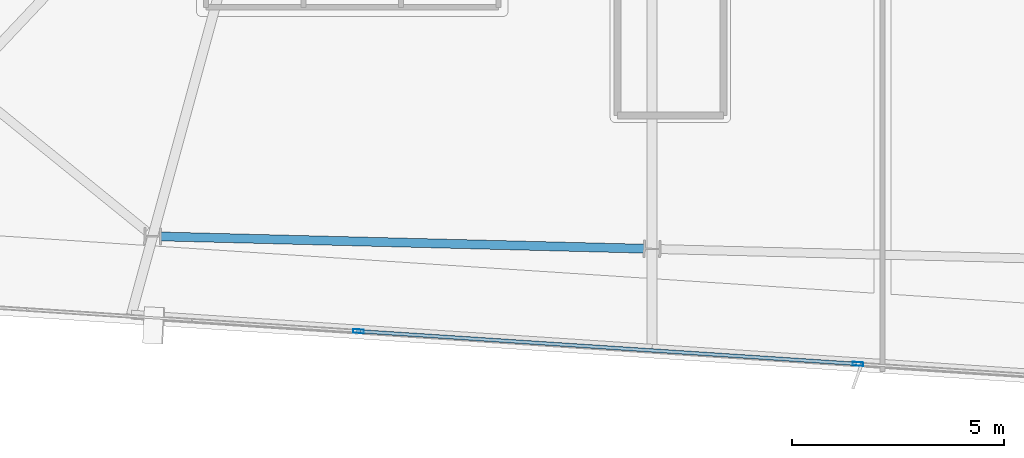
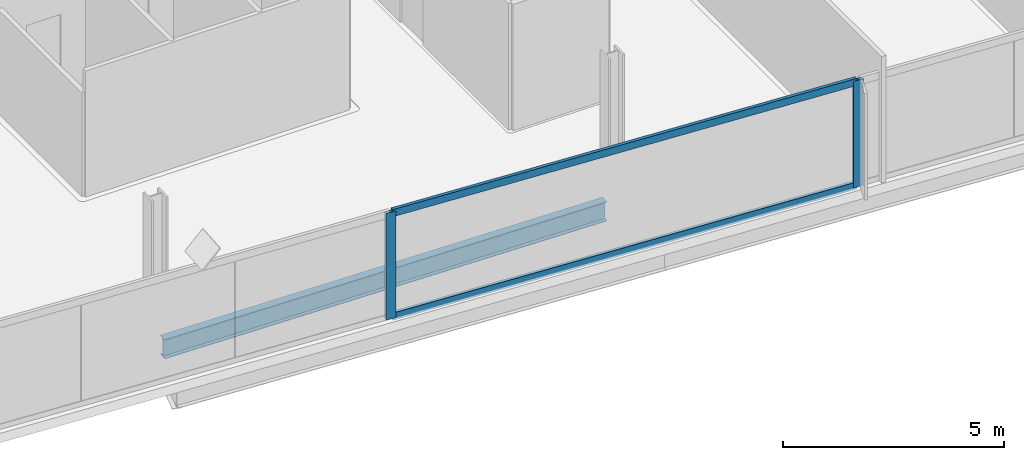
# One storey, part 4 of 24: 4 members, 1 beam, 1 element without a shape of its own.
"""IFC4 building model written with IfcOpenShell, lengths in metres."""

from ifc_helpers import new_model, si_unit, direction, frame, origin, origin_2d, place, context, subcontext, project, spatial, hollow_rectangle, i_section, extrude, material, material_profile, profile_set, type_object, element, aggregate, save


model = new_model("IFC4")

# Units and contexts
model_context = context("Model", 3, precision=1e-05, world=origin(), true_north=direction((0.0, 1.0)))
body_context = subcontext(model_context, "Body", "Model", "MODEL_VIEW")
ifc_project = project(units=[si_unit("LENGTHUNIT", "METRE"), si_unit("AREAUNIT", "SQUARE_METRE"), si_unit("VOLUMEUNIT", "CUBIC_METRE"), si_unit("PLANEANGLEUNIT", "RADIAN"), si_unit("MASSUNIT", "GRAM", prefix="KILO")], contexts=[model_context])

# Site, building, storey
site_placement = place(None, origin())
site = spatial("IfcSite", under=ifc_project, at=site_placement, CompositionType="ELEMENT")
building_placement = place(site_placement, origin())
building = spatial("IfcBuilding", under=site, at=building_placement, Name="Haldenkirk Collegiate Tower", CompositionType="ELEMENT")
storey_placement = place(building_placement, frame((0.0, 0.0, 317.699951171875)))
storey = spatial("IfcBuildingStorey", under=building, at=storey_placement, Name="L80", CompositionType="ELEMENT", Elevation=317.699951171875)

# Beam
ifc_material_1 = material(Name="Steel ASTM A992 Grade 50", Category="steel")
ifc_material_profile_1 = material_profile(ifc_material_1, i_section(OverallWidth=0.2099609375, OverallDepth=0.537109375, WebThickness=0.010986328125, FlangeThickness=0.017333984375, at=origin_2d()), Name="W21X68")
ifc_profile_set_1 = profile_set([ifc_material_profile_1], Name="Steel ASTM A992 Grade 50")
beam_type = type_object("IfcBeamType", Name="BM-SPANDREL-W21X68", PredefinedType="SPANDREL", material=ifc_profile_set_1)
beam_placement = place(storey_placement, frame((23.984375, 6.247802734375, -0.528564453125), z_axis=(0.99967950041, -0.02531593293, 0.0), x_axis=(0.02531593293, 0.99967950041, 0.0)))
element("IfcBeam", 1, at=beam_placement, inside=storey, type_object=beam_type, Name="L80 perimeter spandrel beam 14", PredefinedType="SPANDREL", context=body_context, shape_type="SweptSolid", body=[
    extrude(i_section(OverallWidth=0.2099609375, OverallDepth=0.537109375, WebThickness=0.010986328125, FlangeThickness=0.017333984375, at=origin_2d()), origin(), (0.0, 0.0, 1.0), 11.39892578125),
])

# Curtain wall, members
ifc_material_2 = material(Name="Anodised architectural bronze aluminium", Category="aluminium")
curtain_wall_type = type_object("IfcCurtainWallType", Name="CW-SYS1B-CONVEX-HI", PredefinedType="USERDEFINED", material=ifc_material_2)
curtain_wall_placement = place(storey_placement, origin())
curtain_wall = element("IfcCurtainWall", 2, at=curtain_wall_placement, inside=storey, type_object=curtain_wall_type, Name="L80 Upper tower high-wind convex bronze unitised curtain wall", ObjectType="UNITISED CURTAIN WALL", PredefinedType="USERDEFINED")
ifc_material_profile_2 = material_profile(ifc_material_2, hollow_rectangle(XDim=0.0849609375, YDim=0.25, WallThickness=0.0048828125, at=origin_2d()), Name="CW-MUL-1B")
ifc_profile_set_2 = profile_set([ifc_material_profile_2], Name="Anodised architectural bronze aluminium")
member_type_1 = type_object("IfcMemberType", Name="CW-MUL-1B", PredefinedType="MULLION", material=ifc_profile_set_2)
member_1_placement = place(storey_placement, frame((40.421142578125, 3.2421875, 0.0), z_axis=(0.0, 0.0, 1.0), x_axis=(-0.065401149336, -0.997859053006, 0.0)))
member_1 = element("IfcMember", 3, at=member_1_placement, type_object=member_type_1, Name="CW-1B mullion 2", PredefinedType="MULLION", context=body_context, shape_type="SweptSolid", body=[
    extrude(hollow_rectangle(XDim=0.0849609375, YDim=0.25, WallThickness=0.0048828125, at=origin_2d()), origin(), (0.0, 0.0, 1.0), 2.947998046875),
])
member_2_placement = place(storey_placement, frame((28.646240234375, 4.013916015625, 0.0), z_axis=(0.0, 0.0, 1.0), x_axis=(-0.065401149336, -0.997859053006, 0.0)))
member_2 = element("IfcMember", 4, at=member_2_placement, type_object=member_type_1, Name="CW-1B mullion 3", PredefinedType="MULLION", context=body_context, shape_type="SweptSolid", body=[
    extrude(hollow_rectangle(XDim=0.0849609375, YDim=0.25, WallThickness=0.0048828125, at=origin_2d()), origin(), (0.0, 0.0, 1.0), 2.947998046875),
])
ifc_material_profile_3 = material_profile(ifc_material_2, hollow_rectangle(XDim=0.0849609375, YDim=0.199951171875, WallThickness=0.0048828125, at=origin_2d()), Name="CW-TRN-1B")
ifc_profile_set_3 = profile_set([ifc_material_profile_3], Name="Anodised architectural bronze aluminium")
member_type_2 = type_object("IfcMemberType", Name="CW-TRN-1B", PredefinedType="USERDEFINED", material=ifc_profile_set_3)
member_3_placement = place(storey_placement, frame((40.378662109375, 3.244873046875, 0.04248046875), z_axis=(-0.997859402078, 0.065395823143, 0.0), x_axis=(-0.065395823143, -0.997859402078, 0.0)))
member_3 = element("IfcMember", 5, at=member_3_placement, type_object=member_type_2, Name="CW-1B transom 2.1", ObjectType="TRANSOM", PredefinedType="USERDEFINED", context=body_context, shape_type="SweptSolid", body=[
    extrude(hollow_rectangle(XDim=0.0849609375, YDim=0.199951171875, WallThickness=0.0048828125, at=origin_2d()), origin(), (0.0, 0.0, 1.0), 11.715087890625),
])
member_4_placement = place(storey_placement, frame((40.378662109375, 3.244873046875, 2.905517578125), z_axis=(-0.997859402078, 0.065395823143, 0.0), x_axis=(-0.065395823143, -0.997859402078, 0.0)))
member_4 = element("IfcMember", 6, at=member_4_placement, type_object=member_type_2, Name="CW-1B transom 2.2", ObjectType="TRANSOM", PredefinedType="USERDEFINED", context=body_context, shape_type="SweptSolid", body=[
    extrude(hollow_rectangle(XDim=0.0849609375, YDim=0.199951171875, WallThickness=0.0048828125, at=origin_2d()), origin(), (0.0, 0.0, 1.0), 11.715087890625),
])
aggregate(curtain_wall, [member_1, member_2, member_3, member_4])

save(model, "model.ifc")
